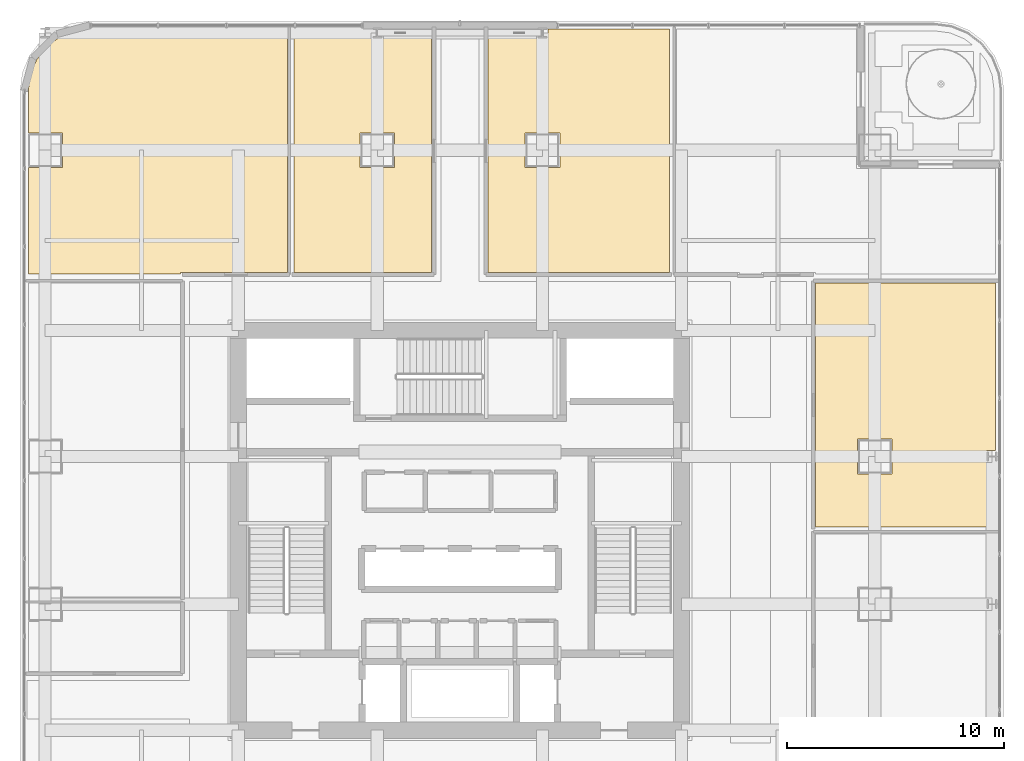
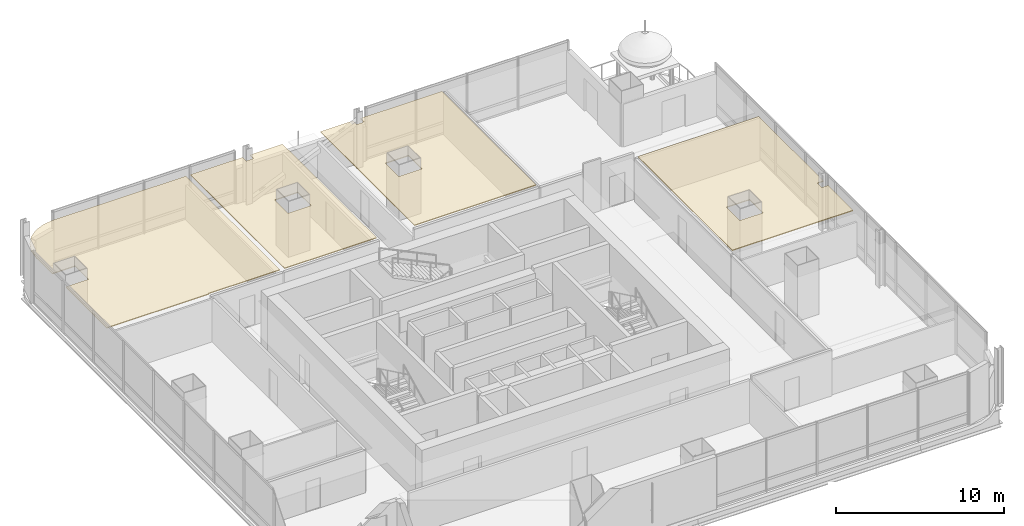
# One storey, part 35 of 37: 4 coverings.
"""IFC4 building model written with IfcOpenShell, lengths in metres."""

from ifc_helpers import new_model, si_unit, direction, frame, origin, place, context, subcontext, project, spatial, polyline, outline, extrude, material, layer, layer_set, type_object, element, save


model = new_model("IFC4")

# Units and contexts
model_context = context("Model", 3, precision=1e-05, world=origin(), true_north=direction((0.0, 1.0)))
body_context = subcontext(model_context, "Body", "Model", "MODEL_VIEW")
ifc_project = project(units=[si_unit("LENGTHUNIT", "METRE"), si_unit("AREAUNIT", "SQUARE_METRE"), si_unit("VOLUMEUNIT", "CUBIC_METRE"), si_unit("PLANEANGLEUNIT", "RADIAN"), si_unit("MASSUNIT", "GRAM", prefix="KILO")], contexts=[model_context])

# Site, building, storey
site_placement = place(None, origin())
site = spatial("IfcSite", under=ifc_project, at=site_placement, CompositionType="ELEMENT")
building_placement = place(site_placement, origin())
building = spatial("IfcBuilding", under=site, at=building_placement, Name="Punatoya Terracotta Tower", CompositionType="ELEMENT")
storey_placement = place(building_placement, frame((0.0, 0.0, 109.199951171875)))
storey = spatial("IfcBuildingStorey", under=building, at=storey_placement, Name="L25", CompositionType="ELEMENT", Elevation=109.199951171875)

# Coverings
ifc_material = material(Name="Acoustic Mineral Fibre Ceiling")
ifc_layer = layer(ifc_material, 0.06005859375)
ifc_layer_set = layer_set([ifc_layer], Name="Acoustic Mineral Fibre Ceiling")
covering_type = type_object("IfcCoveringType", Name="COV-CEIL-60", PredefinedType="CEILING", material=ifc_layer_set)
covering_1_placement = place(storey_placement, frame((0.0, 0.0, 3.199951171875)))
element("IfcCovering", 1, at=covering_1_placement, inside=storey, type_object=covering_type, Name="L25 Open-Plan Staff Tea Pantry Acoustic Ceiling", PredefinedType="CEILING", context=body_context, shape_type="SweptSolid", body=[
    extrude(outline(polyline([(24.669921875, 3.673095703125), (24.669921875, 11.389892578125), (16.3701171875, 11.389892578125), (16.3701171875, 0.159912109375), (24.669921875, 0.159912109375), (24.669921875, 3.126953125), (24.241943359375, 3.126953125), (24.241943359375, 3.673095703125), (24.669921875, 3.673095703125)]), holes=[polyline([(19.89990234375, 2.60009765625), (18.300048828125, 2.60009765625), (18.300048828125, 4.199951171875), (19.89990234375, 4.199951171875), (19.89990234375, 2.60009765625)])]), origin(), (0.0, 0.0, 1.0), 0.06005859375),
])
covering_2_placement = place(storey_placement, frame((0.0, 0.0, 3.199951171875)))
element("IfcCovering", 2, at=covering_2_placement, inside=storey, type_object=covering_type, Name="L25 Open-Plan Systems Engineering Office Acoustic Ceiling", PredefinedType="CEILING", context=body_context, shape_type="SweptSolid", body=[
    extrude(outline(polyline([(-19.041748046875, 22.24169921875), (-19.489501953125, 21.658203125), (-19.770751953125, 20.97900390625), (-19.8701171875, 20.22509765625), (-19.8701171875, 18.300048828125), (-18.300048828125, 18.300048828125), (-18.300048828125, 16.699951171875), (-19.8701171875, 16.699951171875), (-19.8701171875, 11.81005859375), (-12.8701171875, 11.81005859375), (-12.8701171875, 11.8701171875), (-7.946044921875, 11.8701171875), (-7.946044921875, 23.070068359375), (-17.025146484375, 23.070068359375), (-17.779052734375, 22.970703125), (-18.458251953125, 22.689453125), (-19.041748046875, 22.24169921875)])), origin(), (0.0, 0.0, 1.0), 0.06005859375),
])
covering_3_placement = place(storey_placement, frame((0.0, 0.0, 3.199951171875)))
element("IfcCovering", 3, at=covering_3_placement, inside=storey, type_object=covering_type, Name="L25 Open-Plan Quantitative Practice Office Acoustic Ceiling", PredefinedType="CEILING", context=body_context, shape_type="SweptSolid", body=[
    extrude(outline(polyline([(-3.5419921875, 22.626953125), (-4.05810546875, 22.626953125), (-4.05810546875, 23.070068359375), (-7.6259765625, 23.070068359375), (-7.6259765625, 11.8701171875), (-1.300048828125, 11.8701171875), (-1.300048828125, 23.070068359375), (-3.5419921875, 23.070068359375), (-3.5419921875, 22.626953125)]), holes=[polyline([(-3.0, 18.300048828125), (-3.0, 16.699951171875), (-4.60009765625, 16.699951171875), (-4.60009765625, 18.300048828125), (-3.0, 18.300048828125)])]), origin(), (0.0, 0.0, 1.0), 0.06005859375),
])
covering_4_placement = place(storey_placement, frame((0.0, 0.0, 3.199951171875)))
element("IfcCovering", 4, at=covering_4_placement, inside=storey, type_object=covering_type, Name="L25 Open-Plan Regional Operations Office Acoustic Ceiling", PredefinedType="CEILING", context=body_context, shape_type="SweptSolid", body=[
    extrude(outline(polyline([(3.5419921875, 23.070068359375), (1.300048828125, 23.070068359375), (1.300048828125, 11.8701171875), (9.64794921875, 11.8701171875), (9.64794921875, 23.070068359375), (4.05810546875, 23.070068359375), (4.05810546875, 22.626953125), (3.5419921875, 22.626953125), (3.5419921875, 23.070068359375)]), holes=[polyline([(3.0, 18.300048828125), (4.60009765625, 18.300048828125), (4.60009765625, 16.699951171875), (3.0, 16.699951171875), (3.0, 18.300048828125)])]), origin(), (0.0, 0.0, 1.0), 0.06005859375),
])

save(model, "model.ifc")
